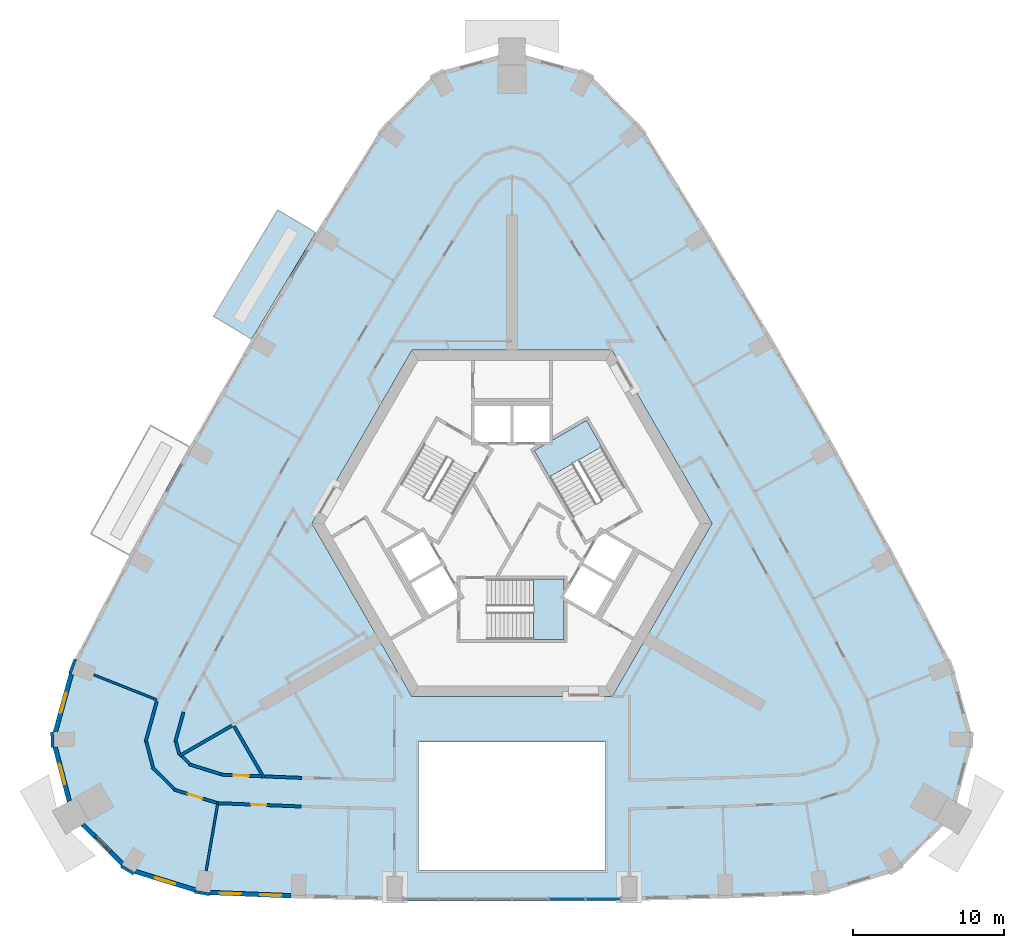
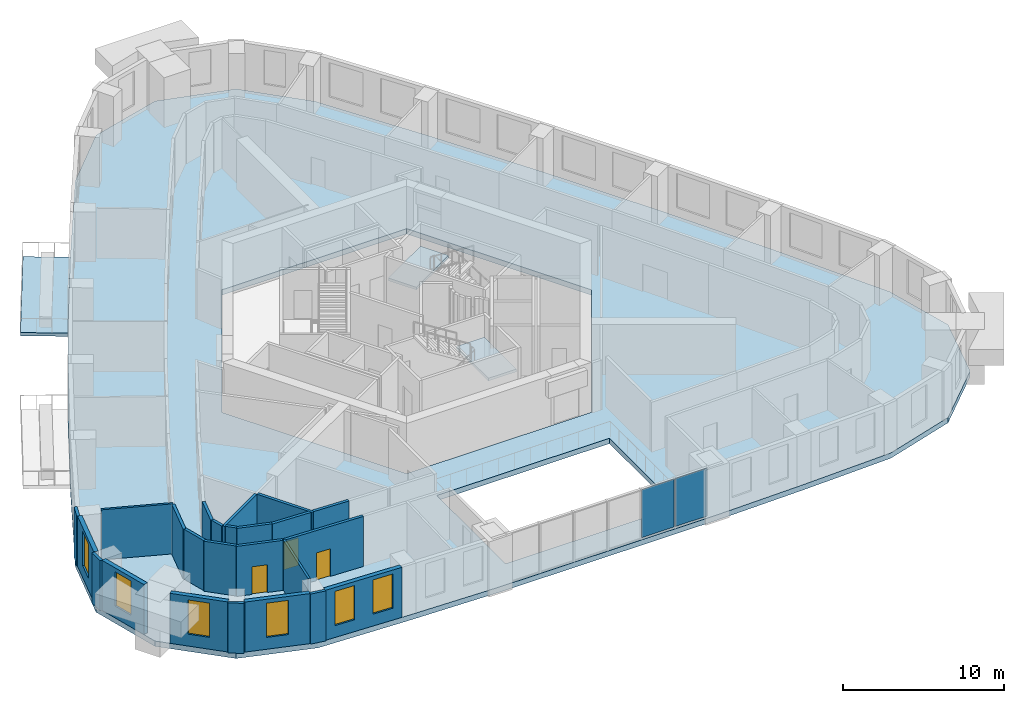
# One storey, part 3 of 13: 24 walls, 6 windows, 4 slabs, 3 doors, 2 plates, 9 openings, 3 elements without a shape of their own.
"""IFC4 building model written with IfcOpenShell, lengths in metres."""

from ifc_helpers import new_model, si_unit, direction, frame, frame_2d, origin, origin_2d, place, context, subcontext, project, spatial, polyline, rectangle, outline, extrude, material, layer, layer_set, type_object, element, fill, aggregate, save


model = new_model("IFC4")

# Units and contexts
model_context = context("Model", 3, precision=1e-05, world=origin(), true_north=direction((0.0, 1.0)))
body_context = subcontext(model_context, "Body", "Model", "MODEL_VIEW")
ifc_project = project(units=[si_unit("LENGTHUNIT", "METRE"), si_unit("AREAUNIT", "SQUARE_METRE"), si_unit("VOLUMEUNIT", "CUBIC_METRE"), si_unit("PLANEANGLEUNIT", "RADIAN"), si_unit("MASSUNIT", "GRAM", prefix="KILO")], contexts=[model_context])

# Site, building, storey
site_placement = place(None, origin())
site = spatial("IfcSite", under=ifc_project, at=site_placement, CompositionType="ELEMENT")
building_placement = place(site_placement, origin())
building = spatial("IfcBuilding", under=site, at=building_placement, Name="Entoto Arch Interchange Tower", CompositionType="ELEMENT")
storey_placement = place(building_placement, frame((0.0, 0.0, 210.800048828125)))
storey = spatial("IfcBuildingStorey", under=building, at=storey_placement, Name="L47", CompositionType="ELEMENT", Elevation=210.800048828125)

# Slab
ifc_material_1 = material(Name="Board-marked precast concrete C50/60", Category="concrete")
ifc_layer_1 = layer(ifc_material_1, 0.25)
ifc_layer_set_1 = layer_set([ifc_layer_1], Name="Board-marked precast concrete C50/60")
slab_type_1 = type_object("IfcSlabType", Name="BALCONY DECK PRECAST 250", PredefinedType="FLOOR", material=ifc_layer_set_1)
slab_1_placement = place(storey_placement, frame((0.0, 0.0, -0.25)))
element("IfcSlab", 1, at=slab_1_placement, inside=storey, type_object=slab_type_1, Name="Planted balcony NW-02 L47", PredefinedType="FLOOR", context=body_context, shape_type="SweptSolid", body=[
    extrude(outline(polyline([(-13.02490234375, 21.7900390625), (-17.279052734375, 14.73291015625), (-19.804931640625, 16.256103515625), (-15.551025390625, 23.31298828125), (-13.02490234375, 21.7900390625)])), origin(), (0.0, 0.0, 1.0), 0.25),
])

# Stair, slab
ifc_material_2 = material(Name="Concrete C40/50", Category="concrete")
stair_type = type_object("IfcStairType", Name="EXIT STAIR RC 1800", PredefinedType="HALF_TURN_STAIR", material=ifc_material_2)
stair_1_placement = place(storey_placement, origin())
stair_1 = element("IfcStair", 2, at=stair_1_placement, inside=storey, type_object=stair_type, Name="L47 Exit stair S", PredefinedType="HALF_TURN_STAIR")
ifc_layer_2 = layer(ifc_material_2, 0.199951171875)
ifc_layer_set_2 = layer_set([ifc_layer_2], Name="Concrete C40/50")
slab_type_2 = type_object("IfcSlabType", Name="EXIT STAIR LANDING RC 200", PredefinedType="LANDING", material=ifc_layer_set_2)
slab_2_placement = place(storey_placement, frame((0.0, 0.0, 1.89990234375)))
slab_2 = element("IfcSlab", 3, at=slab_2_placement, type_object=slab_type_2, Name="ST-S landing 1", PredefinedType="LANDING", context=body_context, shape_type="SweptSolid", body=[
    extrude(outline(polyline([(1.429931640625, -5.199951171875), (3.449951171875, -5.199951171875), (3.449951171875, -1.199951171875), (1.429931640625, -1.199951171875), (1.429931640625, -5.199951171875)])), origin(), (0.0, 0.0, 1.0), 0.199951171875),
])
aggregate(stair_1, [slab_2])

stair_2_placement = place(storey_placement, origin())
stair_2 = element("IfcStair", 4, at=stair_2_placement, inside=storey, type_object=stair_type, Name="L47 Exit stair NE", PredefinedType="HALF_TURN_STAIR")
slab_3_placement = place(storey_placement, frame((0.0, 0.0, 1.89990234375)))
slab_3 = element("IfcSlab", 5, at=slab_3_placement, type_object=slab_type_2, Name="ST-NE landing 1", PredefinedType="LANDING", context=body_context, shape_type="SweptSolid", body=[
    extrude(outline(polyline([(5.953369140625, 7.58837890625), (4.943359375, 9.337890625), (1.479248046875, 7.337890625), (2.4892578125, 5.58837890625), (5.953369140625, 7.58837890625)])), origin(), (0.0, 0.0, 1.0), 0.199951171875),
])
aggregate(stair_2, [slab_3])

# Curtain wall, plates
ifc_material_3 = material(Name="Aluminium, anodised", Category="aluminium")
curtain_wall_type = type_object("IfcCurtainWallType", Name="CURTAIN WALL ATRIUM", PredefinedType="NOTDEFINED", material=ifc_material_3)
curtain_wall_placement = place(storey_placement, origin())
curtain_wall = element("IfcCurtainWall", 6, at=curtain_wall_placement, inside=storey, type_object=curtain_wall_type, Name="Atrium glazing S-03 L47", PredefinedType="NOTDEFINED")
ifc_material_4 = material(Name="Clear glass, low-e double glazed", Category="glass")
ifc_layer_3 = layer(ifc_material_4, 0.031982421875)
ifc_layer_set_3 = layer_set([ifc_layer_3], Name="Clear glass, low-e double glazed")
plate_type = type_object("IfcPlateType", Name="GLAZING PANEL ATRIUM 32", PredefinedType="CURTAIN_PANEL", material=ifc_layer_set_3)
plate_1_placement = place(storey_placement, frame((3.6494140625, -22.4189453125, 0.080078125), z_axis=(0.0, 0.0, 1.0), x_axis=(1.0, 0.0, 0.0)))
plate_1 = element("IfcPlate", 7, at=plate_1_placement, type_object=plate_type, Name="CWA panel 5.1", PredefinedType="CURTAIN_PANEL", context=body_context, shape_type="SweptSolid", body=[
    extrude(rectangle(XDim=2.3330078125, YDim=0.031982421875, at=origin_2d()), origin(), (0.0, 0.0, 1.0), 3.639892578125),
])
plate_2_placement = place(storey_placement, frame((6.0576171875, -22.4189453125, 0.080078125), z_axis=(0.0, 0.0, 1.0), x_axis=(1.0, 0.0, 0.0)))
plate_2 = element("IfcPlate", 8, at=plate_2_placement, type_object=plate_type, Name="CWA panel 6.1", PredefinedType="CURTAIN_PANEL", context=body_context, shape_type="SweptSolid", body=[
    extrude(rectangle(XDim=2.282958984375, YDim=0.031982421875, at=origin_2d()), origin(), (0.0, 0.0, 1.0), 3.639892578125),
])
aggregate(curtain_wall, [plate_1, plate_2])

# Slab
ifc_layer_4 = layer(ifc_material_2, 0.39990234375)
ifc_layer_set_4 = layer_set([ifc_layer_4], Name="Concrete C40/50")
slab_type_3 = type_object("IfcSlabType", Name="Post-tensioned flat plate 400 C40/50", PredefinedType="FLOOR", material=ifc_layer_set_4)
slab_4_placement = place(storey_placement, frame((0.0, 0.0, -0.400146484375)))
element("IfcSlab", 9, at=slab_4_placement, inside=storey, type_object=slab_type_3, Name="Floor slab L47", PredefinedType="FLOOR", context=body_context, shape_type="SweptSolid", body=[
    extrude(outline(polyline([(-20.569091796875, -22.1279296875), (-14.18505859375, -22.383056640625), (-7.800048828125, -22.5439453125), (7.800048828125, -22.5439453125), (14.18505859375, -22.383056640625), (20.569091796875, -22.1279296875), (25.571044921875, -20.5791015625), (29.284912109375, -16.907958984375), (30.60693359375, -11.85595703125), (29.256103515625, -6.951904296875), (25.383056640625, 0.385009765625), (21.39892578125, 7.596923828125), (17.279052734375, 14.73291015625), (13.02490234375, 21.7900390625), (8.60693359375, 28.81298828125), (5.035888671875, 32.43408203125), (0.0, 33.81494140625), (-5.035888671875, 32.43408203125), (-8.60693359375, 28.81298828125), (-13.02490234375, 21.7900390625), (-17.279052734375, 14.73291015625), (-21.39892578125, 7.596923828125), (-25.383056640625, 0.385009765625), (-29.256103515625, -6.951904296875), (-30.60693359375, -11.85595703125), (-29.284912109375, -16.907958984375), (-25.571044921875, -20.5791015625), (-20.569091796875, -22.1279296875)]), holes=[polyline([(6.199951171875, -20.5439453125), (6.199951171875, -12.0), (-6.199951171875, -12.0), (-6.199951171875, -20.5439453125), (6.199951171875, -20.5439453125)]), polyline([(13.279052734375, 2.5), (6.639892578125, 14.0), (-6.639892578125, 14.0), (-13.279052734375, 2.5), (-6.639892578125, -9.0), (6.639892578125, -9.0), (13.279052734375, 2.5)])]), origin(), (0.0, 0.0, 1.0), 0.400146484375),
])

# Walls
ifc_material_5 = material(Name="Gypsum board partition on steel studs", Category="steel")
ifc_layer_5 = layer(ifc_material_5, 0.14990234375)
ifc_layer_set_5 = layer_set([ifc_layer_5], Name="Gypsum board partition on steel studs")
wall_type_1 = type_object("IfcWallType", Name="PARTITION 150", PredefinedType="PARTITIONING", material=ifc_layer_set_5)
wall_1_placement = place(storey_placement, frame((-23.552001953125, -9.2119140625, 0.0), z_axis=(0.0, 0.0, 1.0), x_axis=(-0.929720624715, 0.368265610639, 0.0)))
element("IfcWall", 10, at=wall_1_placement, inside=storey, type_object=wall_type_1, Name="wall:L47:p120", PredefinedType="PARTITIONING", context=body_context, shape_type="SweptSolid", body=[
    extrude(rectangle(XDim=4.515380859375, YDim=0.14990234375, at=frame_2d((2.2578125, 0.0))), origin(), (0.0, 0.0, 1.0), 3.800048828125),
])
wall_2_placement = place(storey_placement, frame((-19.527099609375, -16.06494140625, 0.0), z_axis=(0.0, 0.0, 1.0), x_axis=(-0.169437821314, -0.985540879268, 0.0)))
element("IfcWall", 11, at=wall_2_placement, inside=storey, type_object=wall_type_1, Name="wall:L47:p121", PredefinedType="PARTITIONING", context=body_context, shape_type="SweptSolid", body=[
    extrude(rectangle(XDim=4.531494140625, YDim=0.14990234375, at=frame_2d((2.265625, 0.0))), origin(), (0.0, 0.0, 1.0), 3.800048828125),
])
ifc_layer_6 = layer(ifc_material_5, 0.199951171875)
ifc_layer_set_6 = layer_set([ifc_layer_6], Name="Gypsum board partition on steel studs")
wall_type_2 = type_object("IfcWallType", Name="PARTITION 200", PredefinedType="PARTITIONING", material=ifc_layer_set_6)
wall_3_placement = place(storey_placement, frame((-16.422119140625, -14.287109375, 0.0), z_axis=(0.0, 0.0, 1.0), x_axis=(0.999201426829, -0.039956333943, 0.0)))
element("IfcWall", 12, at=wall_3_placement, inside=storey, type_object=wall_type_2, Name="wall:L47:p029", PredefinedType="PARTITIONING", context=body_context, shape_type="SweptSolid", body=[
    extrude(rectangle(XDim=2.4990234375, YDim=0.199951171875, at=frame_2d((1.24951171875, 0.0))), origin(), (0.0, 0.0, 1.0), 3.800048828125),
])
wall_4_placement = place(storey_placement, frame((-21.801025390625, -10.012939453125, 0.0), z_axis=(0.0, 0.0, 1.0), x_axis=(-0.265584627827, -0.964087550725, 0.0)))
element("IfcWall", 13, at=wall_4_placement, inside=storey, type_object=wall_type_2, Name="wall:L47:p032", PredefinedType="PARTITIONING", context=body_context, shape_type="SweptSolid", body=[
    extrude(rectangle(XDim=2.0673828125, YDim=0.199951171875, at=frame_2d((1.03369140625, 0.0))), origin(), (0.0, 0.0, 1.0), 3.800048828125),
])
wall_5_placement = place(storey_placement, frame((-22.298095703125, -12.006103515625, 0.0), z_axis=(0.0, 0.0, 1.0), x_axis=(0.252647929446, -0.967558279251, 0.0)))
element("IfcWall", 14, at=wall_5_placement, inside=storey, type_object=wall_type_2, Name="wall:L47:p033", PredefinedType="PARTITIONING", context=body_context, shape_type="SweptSolid", body=[
    extrude(rectangle(XDim=0.87939453125, YDim=0.199951171875, at=frame_2d((0.439697265625, 0.0))), origin(), (0.0, 0.0, 1.0), 3.800048828125),
])
wall_6_placement = place(storey_placement, frame((-21.912109375, -12.947998046875, 0.0), z_axis=(0.0, 0.0, 1.0), x_axis=(0.712089244685, -0.702088959893, 0.0)))
element("IfcWall", 15, at=wall_6_placement, inside=storey, type_object=wall_type_2, Name="wall:L47:p034", PredefinedType="PARTITIONING", context=body_context, shape_type="SweptSolid", body=[
    extrude(rectangle(XDim=0.7080078125, YDim=0.199951171875, at=frame_2d((0.35400390625, 0.0))), origin(), (0.0, 0.0, 1.0), 3.800048828125),
])
wall_7_placement = place(storey_placement, frame((-21.43310546875, -13.486083984375, 0.0), z_axis=(0.0, 0.0, 1.0), x_axis=(0.955241047187, -0.295828568211, 0.0)))
element("IfcWall", 16, at=wall_7_placement, inside=storey, type_object=wall_type_2, Name="wall:L47:p035", PredefinedType="PARTITIONING", context=body_context, shape_type="SweptSolid", body=[
    extrude(rectangle(XDim=2.234130859375, YDim=0.199951171875, at=frame_2d((1.1171875, 0.0))), origin(), (0.0, 0.0, 1.0), 3.800048828125),
])

# Wall, opening, door
wall_8_placement = place(storey_placement, frame((-19.302978515625, -14.172119140625, 0.0), z_axis=(0.0, 0.0, 1.0), x_axis=(0.999205458466, -0.03985538574, 0.0)))
wall_8 = element("IfcWall", 17, at=wall_8_placement, inside=storey, type_object=wall_type_2, Name="wall:L47:p036", PredefinedType="PARTITIONING", context=body_context, shape_type="SweptSolid", body=[
    extrude(rectangle(XDim=2.68310546875, YDim=0.199951171875, at=frame_2d((1.341552734375, 0.0))), origin(), (0.0, 0.0, 1.0), 3.800048828125),
])
opening_1_placement = place(wall_8_placement, frame((0.842041015625, 0.0, 0.0)))
opening_1 = element("IfcOpeningElement", 18, at=opening_1_placement, cuts=wall_8, Name="Opening L47-D24", PredefinedType="OPENING", context=body_context, shape_type="SweptSolid", body=[
    extrude(rectangle(XDim=1.0, YDim=2.10009765625, at=frame_2d((0.5, 1.050048828125))), frame((0.0, 0.10986328125, 0.0), z_axis=(0.0, -1.0, 0.0), x_axis=(1.0, 0.0, 0.0)), (0.0, 0.0, 1.0), 0.219970703125),
])
ifc_material_6 = material(Name="Timber door leaf in Steel S235 frame", Category="steel")
door_type = type_object("IfcDoorType", Name="DOOR DS-10 1000x2100", OperationType="SINGLE_SWING_LEFT", PredefinedType="DOOR", material=ifc_material_6)
door_1_placement = place(opening_1_placement, origin())
door_1 = element("IfcDoor", 19, at=door_1_placement, inside=storey, type_object=door_type, Name="door:L47:24", OperationType="SINGLE_SWING_LEFT", OverallHeight=2.10009765625, OverallWidth=1.0, PredefinedType="DOOR", context=body_context, shape_type="SweptSolid", body=[
    extrude(rectangle(XDim=1.0, YDim=2.10009765625, at=frame_2d((0.5, 1.050048828125))), frame((0.0, 0.02490234375, 0.0), z_axis=(0.0, -1.0, 0.0), x_axis=(1.0, 0.0, 0.0)), (0.0, 0.0, 1.0), 0.050048828125),
])
fill(opening_1, door_1)

wall_9_placement = place(storey_placement, frame((-19.623046875, -16.034912109375, 0.0), z_axis=(0.0, 0.0, 1.0), x_axis=(-0.955234616163, 0.295849333419, 0.0)))
wall_9 = element("IfcWall", 20, at=wall_9_placement, inside=storey, type_object=wall_type_2, Name="wall:L47:p059", PredefinedType="PARTITIONING", context=body_context, shape_type="SweptSolid", body=[
    extrude(rectangle(XDim=2.94677734375, YDim=0.199951171875, at=frame_2d((1.473388671875, 0.0))), origin(), (0.0, 0.0, 1.0), 3.800048828125),
])
opening_2_placement = place(wall_9_placement, frame((0.97412109375, 0.0, 0.0)))
opening_2 = element("IfcOpeningElement", 21, at=opening_2_placement, cuts=wall_9, Name="Opening L47-D13", PredefinedType="OPENING", context=body_context, shape_type="SweptSolid", body=[
    extrude(rectangle(XDim=1.0, YDim=2.10009765625, at=frame_2d((0.5, 1.050048828125))), frame((0.0, 0.10986328125, 0.0), z_axis=(0.0, -1.0, 0.0), x_axis=(1.0, 0.0, 0.0)), (0.0, 0.0, 1.0), 0.219970703125),
])
door_2_placement = place(opening_2_placement, origin())
door_2 = element("IfcDoor", 22, at=door_2_placement, inside=storey, type_object=door_type, Name="door:L47:13", OperationType="SINGLE_SWING_LEFT", OverallHeight=2.10009765625, OverallWidth=1.0, PredefinedType="DOOR", context=body_context, shape_type="SweptSolid", body=[
    extrude(rectangle(XDim=1.0, YDim=2.10009765625, at=frame_2d((0.5, 1.050048828125))), frame((0.0, 0.02490234375, 0.0), z_axis=(0.0, -1.0, 0.0), x_axis=(1.0, 0.0, 0.0)), (0.0, 0.0, 1.0), 0.050048828125),
])
fill(opening_2, door_2)

# Walls
wall_10_placement = place(storey_placement, frame((-22.4140625, -15.123046875, 0.0), z_axis=(0.0, 0.0, 1.0), x_axis=(-0.710949827962, 0.703242733429, 0.0)))
element("IfcWall", 23, at=wall_10_placement, inside=storey, type_object=wall_type_2, Name="wall:L47:p060", PredefinedType="PARTITIONING", context=body_context, shape_type="SweptSolid", body=[
    extrude(rectangle(XDim=2.05908203125, YDim=0.199951171875, at=frame_2d((1.029541015625, 0.0))), origin(), (0.0, 0.0, 1.0), 3.800048828125),
])
wall_11_placement = place(storey_placement, frame((-23.8330078125, -13.64892578125, 0.0), z_axis=(0.0, 0.0, 1.0), x_axis=(-0.253025690571, 0.967459559832, 0.0)))
element("IfcWall", 24, at=wall_11_placement, inside=storey, type_object=wall_type_2, Name="wall:L47:p061", PredefinedType="PARTITIONING", context=body_context, shape_type="SweptSolid", body=[
    extrude(rectangle(XDim=1.711669921875, YDim=0.199951171875, at=frame_2d((0.85595703125, 0.0))), origin(), (0.0, 0.0, 1.0), 3.800048828125),
])
wall_12_placement = place(storey_placement, frame((-24.318115234375, -11.992919921875, 0.0), z_axis=(0.0, 0.0, 1.0), x_axis=(0.265884037198, 0.964005020092, 0.0)))
element("IfcWall", 25, at=wall_12_placement, inside=storey, type_object=wall_type_2, Name="wall:L47:p062", PredefinedType="PARTITIONING", context=body_context, shape_type="SweptSolid", body=[
    extrude(rectangle(XDim=2.783935546875, YDim=0.199951171875, at=frame_2d((1.39208984375, 0.0))), origin(), (0.0, 0.0, 1.0), 3.800048828125),
])

# Wall, opening, door
wall_13_placement = place(storey_placement, frame((-13.986083984375, -16.285888671875, 0.0), z_axis=(0.0, 0.0, 1.0), x_axis=(-0.999206475857, 0.039829870775, 0.0)))
wall_13 = element("IfcWall", 26, at=wall_13_placement, inside=storey, type_object=wall_type_2, Name="wall:L47:p064", PredefinedType="PARTITIONING", context=body_context, shape_type="SweptSolid", body=[
    extrude(rectangle(XDim=5.645263671875, YDim=0.199951171875, at=frame_2d((2.82275390625, 0.0))), origin(), (0.0, 0.0, 1.0), 3.800048828125),
])
opening_3_placement = place(wall_13_placement, frame((2.322998046875, 0.0, 0.0)))
opening_3 = element("IfcOpeningElement", 27, at=opening_3_placement, cuts=wall_13, Name="Opening L47-D14", PredefinedType="OPENING", context=body_context, shape_type="SweptSolid", body=[
    extrude(rectangle(XDim=1.0, YDim=2.10009765625, at=frame_2d((0.5, 1.050048828125))), frame((0.0, 0.10986328125, 0.0), z_axis=(0.0, -1.0, 0.0), x_axis=(1.0, 0.0, 0.0)), (0.0, 0.0, 1.0), 0.219970703125),
])
door_3_placement = place(opening_3_placement, origin())
door_3 = element("IfcDoor", 28, at=door_3_placement, inside=storey, type_object=door_type, Name="door:L47:14", OperationType="SINGLE_SWING_LEFT", OverallHeight=2.10009765625, OverallWidth=1.0, PredefinedType="DOOR", context=body_context, shape_type="SweptSolid", body=[
    extrude(rectangle(XDim=1.0, YDim=2.10009765625, at=frame_2d((0.5, 1.050048828125))), frame((0.0, 0.02490234375, 0.0), z_axis=(0.0, -1.0, 0.0), x_axis=(1.0, 0.0, 0.0)), (0.0, 0.0, 1.0), 0.050048828125),
])
fill(opening_3, door_3)

# Walls
wall_14_placement = place(storey_placement, frame((-16.471923828125, -14.3701171875, 0.0), z_axis=(0.0, 0.0, 1.0), x_axis=(-0.500009715097, 0.866019794698, 0.0)))
element("IfcWall", 29, at=wall_14_placement, inside=storey, type_object=wall_type_2, Name="wall:L47:p107", PredefinedType="PARTITIONING", context=body_context, shape_type="SweptSolid", body=[
    extrude(rectangle(XDim=3.9482421875, YDim=0.199951171875, at=frame_2d((1.97412109375, 0.0))), origin(), (0.0, 0.0, 1.0), 3.800048828125),
])
wall_15_placement = place(storey_placement, frame((-18.5830078125, -10.9140625, 0.0), z_axis=(0.0, 0.0, 1.0), x_axis=(-0.8659987338, -0.500046190923, 0.0)))
element("IfcWall", 30, at=wall_15_placement, inside=storey, type_object=wall_type_2, Name="wall:L47:p108", PredefinedType="PARTITIONING", context=body_context, shape_type="SweptSolid", body=[
    extrude(rectangle(XDim=4.025390625, YDim=0.199951171875, at=frame_2d((2.0126953125, 0.0))), origin(), (0.0, 0.0, 1.0), 3.800048828125),
])

# Wall, openings, windows
ifc_material_7 = material(Name="Welded tuff (ignimbrite) cladding, warm buff", Category="masonry")
ifc_layer_7 = layer(ifc_material_7, 0.300048828125)
ifc_layer_set_7 = layer_set([ifc_layer_7], Name="Welded tuff (ignimbrite) cladding, warm buff")
wall_type_3 = type_object("IfcWallType", Name="STONE INFILL WALL 300", PredefinedType="STANDARD", material=ifc_layer_set_7)
wall_16_placement = place(storey_placement, frame((-20.0400390625, -21.9990234375, 0.0), z_axis=(0.0, 0.0, 1.0), x_axis=(0.999205241612, -0.039860822062, 0.0)))
wall_16 = element("IfcWall", 31, at=wall_16_placement, inside=storey, type_object=wall_type_3, Name="Facade wall S-01 L47", PredefinedType="STANDARD", context=body_context, shape_type="SweptSolid", body=[
    extrude(rectangle(XDim=5.365234375, YDim=0.300048828125, at=frame_2d((2.6826171875, 0.0))), origin(), (0.0, 0.0, 1.0), 3.800048828125),
])
opening_4_placement = place(wall_16_placement, frame((0.64111328125, 0.0, 0.89990234375)))
opening_4 = element("IfcOpeningElement", 32, at=opening_4_placement, cuts=wall_16, Name="Opening WO-B", PredefinedType="OPENING", context=body_context, shape_type="SweptSolid", body=[
    extrude(rectangle(XDim=1.39990234375, YDim=2.60009765625, at=frame_2d((0.699951171875, 1.300048828125))), frame((0.0, 0.16015625, 0.0), z_axis=(0.0, -1.0, 0.0), x_axis=(1.0, 0.0, 0.0)), (0.0, 0.0, 1.0), 0.320068359375),
])
opening_5_placement = place(wall_16_placement, frame((3.323974609375, 0.0, 0.89990234375)))
opening_5 = element("IfcOpeningElement", 33, at=opening_5_placement, cuts=wall_16, Name="Opening WO-B", PredefinedType="OPENING", context=body_context, shape_type="SweptSolid", body=[
    extrude(rectangle(XDim=1.39990234375, YDim=2.60009765625, at=frame_2d((0.699951171875, 1.300048828125))), frame((0.0, 0.16015625, 0.0), z_axis=(0.0, -1.0, 0.0), x_axis=(1.0, 0.0, 0.0)), (0.0, 0.0, 1.0), 0.320068359375),
])
window_type = type_object("IfcWindowType", Name="WINDOW WO-B 1400x2600", PartitioningType="DOUBLE_PANEL_VERTICAL", PredefinedType="WINDOW", material=ifc_material_4)
window_1_placement = place(opening_4_placement, origin())
window_1 = element("IfcWindow", 34, at=window_1_placement, inside=storey, type_object=window_type, Name="Window WO-B S-01 L47", OverallHeight=2.60009765625, OverallWidth=1.39990234375, PartitioningType="SINGLE_PANEL", PredefinedType="WINDOW", context=body_context, shape_type="SweptSolid", body=[
    extrude(rectangle(XDim=1.39990234375, YDim=2.60009765625, at=frame_2d((0.699951171875, 1.300048828125))), frame((0.0, 0.030029296875, 0.0), z_axis=(0.0, -1.0, 0.0), x_axis=(1.0, 0.0, 0.0)), (0.0, 0.0, 1.0), 0.06005859375),
])
fill(opening_4, window_1)
window_2_placement = place(opening_5_placement, origin())
window_2 = element("IfcWindow", 35, at=window_2_placement, inside=storey, type_object=window_type, Name="Window WO-B S-01 L47", OverallHeight=2.60009765625, OverallWidth=1.39990234375, PartitioningType="SINGLE_PANEL", PredefinedType="WINDOW", context=body_context, shape_type="SweptSolid", body=[
    extrude(rectangle(XDim=1.39990234375, YDim=2.60009765625, at=frame_2d((0.699951171875, 1.300048828125))), frame((0.0, 0.030029296875, 0.0), z_axis=(0.0, -1.0, 0.0), x_axis=(1.0, 0.0, 0.0)), (0.0, 0.0, 1.0), 0.06005859375),
])
fill(opening_5, window_2)

# Wall, opening, window
wall_17_placement = place(storey_placement, frame((-29.248046875, -7.487060546875, 0.0), z_axis=(0.0, 0.0, 1.0), x_axis=(-0.265534577923, -0.96410133696, 0.0)))
wall_17 = element("IfcWall", 36, at=wall_17_placement, inside=storey, type_object=wall_type_3, Name="Facade wall SW-01 L47", PredefinedType="STANDARD", context=body_context, shape_type="SweptSolid", body=[
    extrude(rectangle(XDim=4.0068359375, YDim=0.300048828125, at=frame_2d((2.00341796875, 0.0))), origin(), (0.0, 0.0, 1.0), 3.800048828125),
])
opening_6_placement = place(wall_17_placement, frame((1.302978515625, 0.0, 0.89990234375)))
opening_6 = element("IfcOpeningElement", 37, at=opening_6_placement, cuts=wall_17, Name="Opening WO-B", PredefinedType="OPENING", context=body_context, shape_type="SweptSolid", body=[
    extrude(rectangle(XDim=1.39990234375, YDim=2.60009765625, at=frame_2d((0.699951171875, 1.300048828125))), frame((0.0, 0.16015625, 0.0), z_axis=(0.0, -1.0, 0.0), x_axis=(1.0, 0.0, 0.0)), (0.0, 0.0, 1.0), 0.320068359375),
])
window_3_placement = place(opening_6_placement, origin())
window_3 = element("IfcWindow", 38, at=window_3_placement, inside=storey, type_object=window_type, Name="Window WO-B SW-01 L47", OverallHeight=2.60009765625, OverallWidth=1.39990234375, PartitioningType="SINGLE_PANEL", PredefinedType="WINDOW", context=body_context, shape_type="SweptSolid", body=[
    extrude(rectangle(XDim=1.39990234375, YDim=2.60009765625, at=frame_2d((0.699951171875, 1.300048828125))), frame((0.0, 0.030029296875, 0.0), z_axis=(0.0, -1.0, 0.0), x_axis=(1.0, 0.0, 0.0)), (0.0, 0.0, 1.0), 0.06005859375),
])
fill(opening_6, window_3)

wall_18_placement = place(storey_placement, frame((-30.322998046875, -12.347900390625, 0.0), z_axis=(0.0, 0.0, 1.0), x_axis=(0.253200635583, -0.96741378848, 0.0)))
wall_18 = element("IfcWall", 39, at=wall_18_placement, inside=storey, type_object=wall_type_3, Name="Facade wall SW-02 L47", PredefinedType="STANDARD", context=body_context, shape_type="SweptSolid", body=[
    extrude(rectangle(XDim=3.70068359375, YDim=0.300048828125, at=frame_2d((1.850341796875, 0.0))), origin(), (0.0, 0.0, 1.0), 3.800048828125),
])
opening_7_placement = place(wall_18_placement, frame((1.14990234375, 0.0, 0.89990234375)))
opening_7 = element("IfcOpeningElement", 40, at=opening_7_placement, cuts=wall_18, Name="Opening WO-B", PredefinedType="OPENING", context=body_context, shape_type="SweptSolid", body=[
    extrude(rectangle(XDim=1.39990234375, YDim=2.60009765625, at=frame_2d((0.699951171875, 1.300048828125))), frame((0.0, 0.16015625, 0.0), z_axis=(0.0, -1.0, 0.0), x_axis=(1.0, 0.0, 0.0)), (0.0, 0.0, 1.0), 0.320068359375),
])
window_4_placement = place(opening_7_placement, origin())
window_4 = element("IfcWindow", 41, at=window_4_placement, inside=storey, type_object=window_type, Name="Window WO-B SW-02 L47", OverallHeight=2.60009765625, OverallWidth=1.39990234375, PartitioningType="SINGLE_PANEL", PredefinedType="WINDOW", context=body_context, shape_type="SweptSolid", body=[
    extrude(rectangle(XDim=1.39990234375, YDim=2.60009765625, at=frame_2d((0.699951171875, 1.300048828125))), frame((0.0, 0.030029296875, 0.0), z_axis=(0.0, -1.0, 0.0), x_axis=(1.0, 0.0, 0.0)), (0.0, 0.0, 1.0), 0.06005859375),
])
fill(opening_7, window_4)

wall_19_placement = place(storey_placement, frame((-28.487060546875, -17.486083984375, 0.0), z_axis=(0.0, 0.0, 1.0), x_axis=(0.711316812334, -0.702871533419, 0.0)))
wall_19 = element("IfcWall", 42, at=wall_19_placement, inside=storey, type_object=wall_type_3, Name="Facade wall SW-03 L47", PredefinedType="STANDARD", context=body_context, shape_type="SweptSolid", body=[
    extrude(rectangle(XDim=3.7001953125, YDim=0.300048828125, at=frame_2d((1.85009765625, 0.0))), origin(), (0.0, 0.0, 1.0), 3.800048828125),
])
opening_8_placement = place(wall_19_placement, frame((1.14990234375, 0.0, 0.89990234375)))
opening_8 = element("IfcOpeningElement", 43, at=opening_8_placement, cuts=wall_19, Name="Opening WO-B", PredefinedType="OPENING", context=body_context, shape_type="SweptSolid", body=[
    extrude(rectangle(XDim=1.39990234375, YDim=2.60009765625, at=frame_2d((0.699951171875, 1.300048828125))), frame((0.0, 0.16015625, 0.0), z_axis=(0.0, -1.0, 0.0), x_axis=(1.0, 0.0, 0.0)), (0.0, 0.0, 1.0), 0.320068359375),
])
window_5_placement = place(opening_8_placement, origin())
window_5 = element("IfcWindow", 44, at=window_5_placement, inside=storey, type_object=window_type, Name="Window WO-B SW-03 L47", OverallHeight=2.60009765625, OverallWidth=1.39990234375, PartitioningType="SINGLE_PANEL", PredefinedType="WINDOW", context=body_context, shape_type="SweptSolid", body=[
    extrude(rectangle(XDim=1.39990234375, YDim=2.60009765625, at=frame_2d((0.699951171875, 1.300048828125))), frame((0.0, 0.030029296875, 0.0), z_axis=(0.0, -1.0, 0.0), x_axis=(1.0, 0.0, 0.0)), (0.0, 0.0, 1.0), 0.06005859375),
])
fill(opening_8, window_5)

wall_20_placement = place(storey_placement, frame((-24.9990234375, -20.59912109375, 0.0), z_axis=(0.0, 0.0, 1.0), x_axis=(0.955247215067, -0.295808651171, 0.0)))
wall_20 = element("IfcWall", 45, at=wall_20_placement, inside=storey, type_object=wall_type_3, Name="Facade wall SW-04 L47", PredefinedType="STANDARD", context=body_context, shape_type="SweptSolid", body=[
    extrude(rectangle(XDim=4.161376953125, YDim=0.300048828125, at=frame_2d((2.08056640625, 0.0))), origin(), (0.0, 0.0, 1.0), 3.800048828125),
])
opening_9_placement = place(wall_20_placement, frame((1.381103515625, 0.0, 0.89990234375)))
opening_9 = element("IfcOpeningElement", 46, at=opening_9_placement, cuts=wall_20, Name="Opening WO-B", PredefinedType="OPENING", context=body_context, shape_type="SweptSolid", body=[
    extrude(rectangle(XDim=1.39990234375, YDim=2.60009765625, at=frame_2d((0.699951171875, 1.300048828125))), frame((0.0, 0.16015625, 0.0), z_axis=(0.0, -1.0, 0.0), x_axis=(1.0, 0.0, 0.0)), (0.0, 0.0, 1.0), 0.320068359375),
])
window_6_placement = place(opening_9_placement, origin())
window_6 = element("IfcWindow", 47, at=window_6_placement, inside=storey, type_object=window_type, Name="Window WO-B SW-04 L47", OverallHeight=2.60009765625, OverallWidth=1.39990234375, PartitioningType="SINGLE_PANEL", PredefinedType="WINDOW", context=body_context, shape_type="SweptSolid", body=[
    extrude(rectangle(XDim=1.39990234375, YDim=2.60009765625, at=frame_2d((0.699951171875, 1.300048828125))), frame((0.0, 0.030029296875, 0.0), z_axis=(0.0, -1.0, 0.0), x_axis=(1.0, 0.0, 0.0)), (0.0, 0.0, 1.0), 0.06005859375),
])
fill(opening_9, window_6)

# Walls
ifc_layer_8 = layer(ifc_material_7, 0.199951171875)
ifc_layer_set_8 = layer_set([ifc_layer_8], Name="Welded tuff (ignimbrite) cladding, warm buff")
wall_type_4 = type_object("IfcWallType", Name="STONE PIER CLADDING 200", PredefinedType="STANDARD", material=ifc_layer_set_8)
wall_21_placement = place(storey_placement, frame((-28.989013671875, -6.51806640625, 0.0), z_axis=(0.0, 0.0, 1.0), x_axis=(-0.346892928577, -0.937904737222, 0.0)))
element("IfcWall", 48, at=wall_21_placement, inside=storey, type_object=wall_type_4, Name="Stone pier NW06 L47", PredefinedType="STANDARD", context=body_context, shape_type="SweptSolid", body=[
    extrude(rectangle(XDim=1.0, YDim=0.199951171875, at=frame_2d((0.5, 0.0))), origin(), (0.0, 0.0, 1.0), 3.800048828125),
])
wall_22_placement = place(storey_placement, frame((-21.044921875, -21.945068359375, 0.0), z_axis=(0.0, 0.0, 1.0), x_axis=(0.985631544579, -0.168909615862, 0.0)))
element("IfcWall", 49, at=wall_22_placement, inside=storey, type_object=wall_type_4, Name="Stone pier S01 L47", PredefinedType="STANDARD", context=body_context, shape_type="SweptSolid", body=[
    extrude(rectangle(XDim=1.000244140625, YDim=0.199951171875, at=frame_2d((0.5, 0.0))), origin(), (0.0, 0.0, 1.0), 3.800048828125),
])
wall_23_placement = place(storey_placement, frame((-30.51904296875, -11.35400390625, 0.0), z_axis=(0.0, 0.0, 1.0), x_axis=(0.023942303888, -0.999713341956, 0.0)))
element("IfcWall", 50, at=wall_23_placement, inside=storey, type_object=wall_type_4, Name="Stone pier SW1 L47", PredefinedType="STANDARD", context=body_context, shape_type="SweptSolid", body=[
    extrude(rectangle(XDim=0.999267578125, YDim=0.199951171875, at=frame_2d((0.49951171875, 0.0))), origin(), (0.0, 0.0, 1.0), 3.800048828125),
])
wall_24_placement = place(storey_placement, frame((-25.946044921875, -20.23291015625, 0.0), z_axis=(0.0, 0.0, 1.0), x_axis=(0.853679739553, -0.520798331677, 0.0)))
element("IfcWall", 51, at=wall_24_placement, inside=storey, type_object=wall_type_4, Name="Stone pier SW3 L47", PredefinedType="STANDARD", context=body_context, shape_type="SweptSolid", body=[
    extrude(rectangle(XDim=1.00048828125, YDim=0.199951171875, at=frame_2d((0.500244140625, 0.0))), origin(), (0.0, 0.0, 1.0), 3.800048828125),
])

save(model, "model.ifc")
